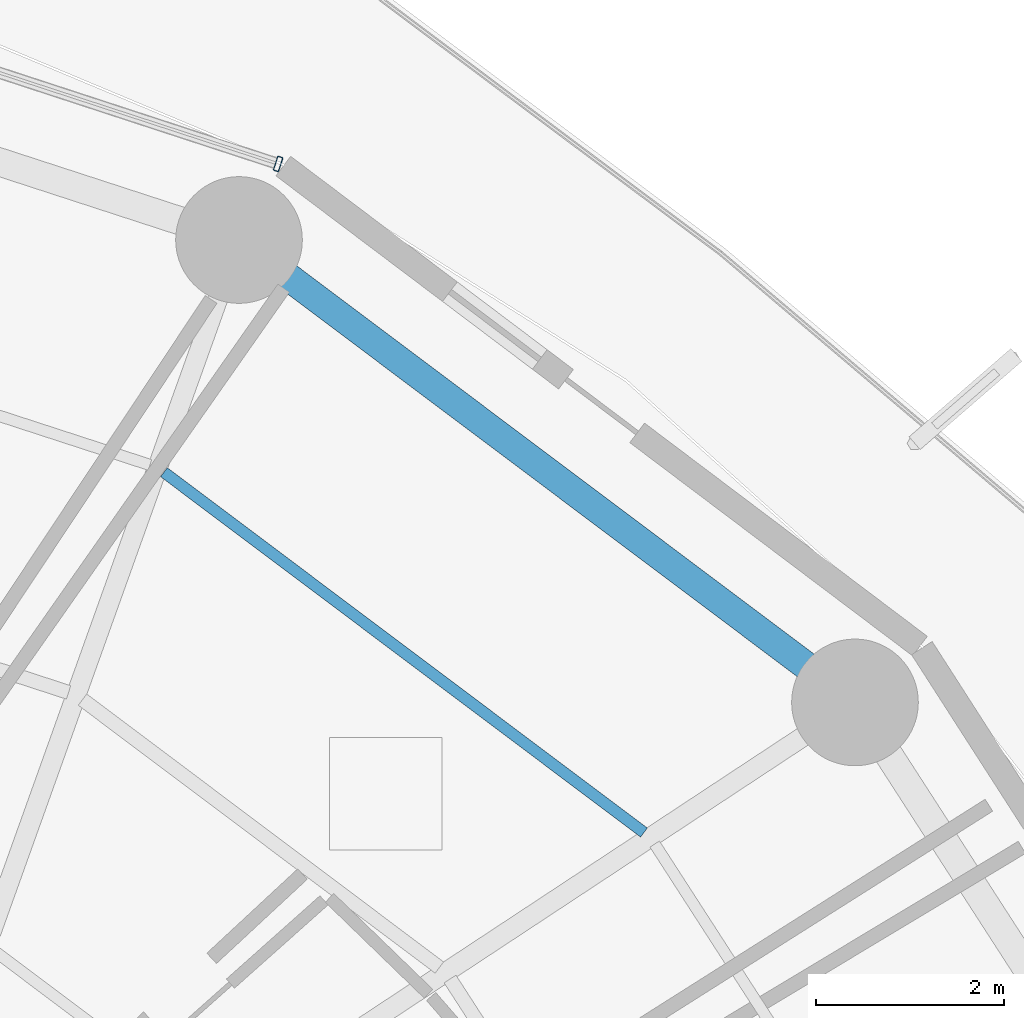
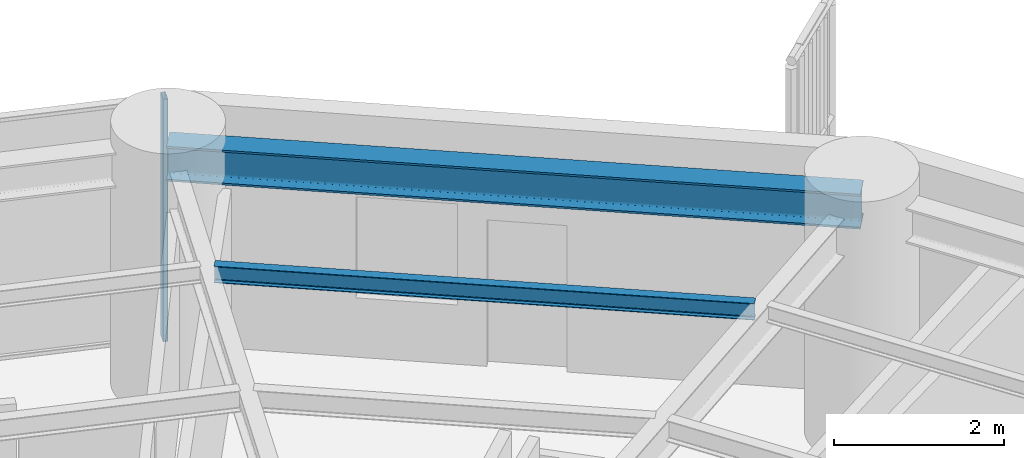
# One storey, part 22 of 33: 2 beams, 1 member, 1 element without a shape of its own.
"""IFC4 building model written with IfcOpenShell, lengths in metres."""

from ifc_helpers import new_model, si_unit, direction, frame, origin, origin_2d, place, context, subcontext, project, spatial, hollow_rectangle, i_section, extrude, material, layer, layer_set, material_profile, profile_set, type_object, element, aggregate, save


model = new_model("IFC4")

# Units and contexts
model_context = context("Model", 3, precision=1e-05, world=origin(), true_north=direction((0.0, 1.0)))
body_context = subcontext(model_context, "Body", "Model", "MODEL_VIEW")
ifc_project = project(units=[si_unit("LENGTHUNIT", "METRE"), si_unit("AREAUNIT", "SQUARE_METRE"), si_unit("VOLUMEUNIT", "CUBIC_METRE"), si_unit("PLANEANGLEUNIT", "RADIAN"), si_unit("MASSUNIT", "GRAM", prefix="KILO")], contexts=[model_context])

# Site, building, storey
site_placement = place(None, origin())
site = spatial("IfcSite", under=ifc_project, at=site_placement, CompositionType="ELEMENT")
building_placement = place(site_placement, origin())
building = spatial("IfcBuilding", under=site, at=building_placement, Name="Kelanora Arch Commons", CompositionType="ELEMENT")
storey_placement = place(building_placement, frame((0.0, 0.0, 80.10009765625)))
storey = spatial("IfcBuildingStorey", under=building, at=storey_placement, Name="L20", CompositionType="ELEMENT", Elevation=80.10009765625)

# Beams
ifc_material_1 = material(Name="Steel S355", Category="steel")
ifc_material_profile_1 = material_profile(ifc_material_1, i_section(OverallWidth=0.1201171875, OverallDepth=0.239990234375, WebThickness=0.006103515625, FlangeThickness=0.009765625, FilletRadius=0.014892578125, at=origin_2d()), Name="IPE240")
ifc_profile_set_1 = profile_set([ifc_material_profile_1], Name="Steel S355")
beam_type_1 = type_object("IfcBeamType", Name="BM-JST-02", PredefinedType="JOIST", material=ifc_profile_set_1)
beam_1_placement = place(storey_placement, frame((90.65673828125, 70.805419921875, 3.369873046875), z_axis=(-0.799734335646, 0.600354055861, 0.0), x_axis=(-0.600354055861, -0.799734335646, 0.0)))
element("IfcBeam", 1, at=beam_1_placement, inside=storey, type_object=beam_type_1, Name="Secondary Chord Joist BJC-04 L20", PredefinedType="JOIST", context=body_context, shape_type="SweptSolid", body=[
    extrude(i_section(OverallWidth=0.1201171875, OverallDepth=0.239990234375, WebThickness=0.006103515625, FlangeThickness=0.009765625, FilletRadius=0.014892578125, at=origin_2d()), origin(), (0.0, 0.0, 1.0), 6.39794921875),
])
ifc_material_profile_2 = material_profile(ifc_material_1, i_section(OverallWidth=0.300048828125, OverallDepth=0.5, WebThickness=0.014404296875, FlangeThickness=0.028076171875, FilletRadius=0.027099609375, at=origin_2d()), Name="HEB500")
ifc_profile_set_2 = profile_set([ifc_material_profile_2], Name="Steel S355")
beam_type_2 = type_object("IfcBeamType", Name="BM-SPN-Z2", PredefinedType="SPANDREL", material=ifc_profile_set_2)
beam_2_placement = place(storey_placement, frame((92.906005859375, 72.19287109375, 3.239990234375), z_axis=(-0.799735861602, 0.600352023123, 0.0), x_axis=(-0.600352023123, -0.799735861602, 0.0)))
element("IfcBeam", 2, at=beam_2_placement, inside=storey, type_object=beam_type_2, Name="Perimeter Spandrel Beam BS-04 L20", PredefinedType="SPANDREL", context=body_context, shape_type="SweptSolid", body=[
    extrude(i_section(OverallWidth=0.300048828125, OverallDepth=0.5, WebThickness=0.014404296875, FlangeThickness=0.028076171875, FilletRadius=0.027099609375, at=origin_2d()), origin(), (0.0, 0.0, 1.0), 8.210205078125),
])

# Curtain wall, member
ifc_material_2 = material(Name="Terracotta ceramic-fritted low-E glass and aluminium", Category="masonry")
ifc_layer = layer(ifc_material_2, 0.159912109375)
ifc_layer_set = layer_set([ifc_layer], Name="Terracotta ceramic-fritted low-E glass and aluminium")
curtain_wall_type = type_object("IfcCurtainWallType", Name="CW-SYS-01", PredefinedType="NOTDEFINED", material=ifc_layer_set)
curtain_wall_placement = place(storey_placement, origin())
curtain_wall = element("IfcCurtainWall", 3, at=curtain_wall_placement, inside=storey, type_object=curtain_wall_type, Name="Unitised Curtain Wall L20-B03", PredefinedType="NOTDEFINED")
ifc_material_3 = material(Name="Powder-coated aluminium terracotta", Category="masonry")
ifc_material_profile_3 = material_profile(ifc_material_3, hollow_rectangle(XDim=0.159912109375, YDim=0.06005859375, WallThickness=0.0048828125, InnerFilletRadius=0.0048828125, OuterFilletRadius=0.010009765625, at=origin_2d()), Name="CWM160x60")
ifc_profile_set_3 = profile_set([ifc_material_profile_3], Name="Powder-coated aluminium terracotta")
member_type = type_object("IfcMemberType", Name="CWM-STD", PredefinedType="MULLION", material=ifc_profile_set_3)
member_placement = place(storey_placement, frame((86.757080078125, 77.9326171875, 0.0), z_axis=(0.0, 0.0, 1.0), x_axis=(-0.31080470294, -0.950473795867, 0.0)))
member = element("IfcMember", 4, at=member_placement, type_object=member_type, Name="CW-01 mullion 1", PredefinedType="MULLION", context=body_context, shape_type="SweptSolid", body=[
    extrude(hollow_rectangle(XDim=0.159912109375, YDim=0.06005859375, WallThickness=0.0048828125, InnerFilletRadius=0.0048828125, OuterFilletRadius=0.010009765625, at=origin_2d()), origin(), (0.0, 0.0, 1.0), 3.474853515625),
])
aggregate(curtain_wall, [member])

save(model, "model.ifc")
